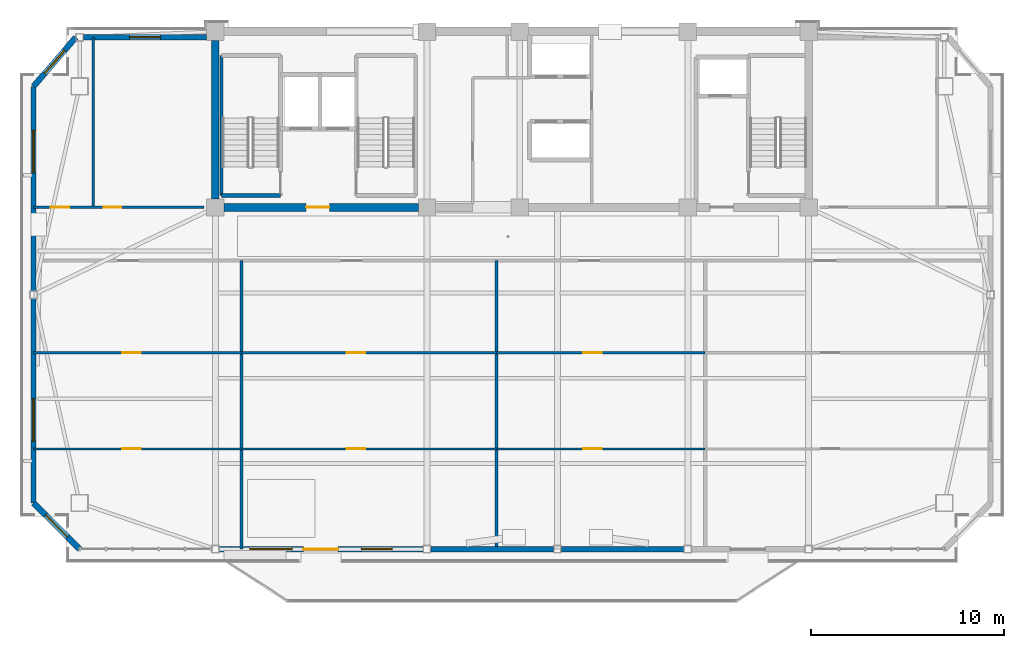
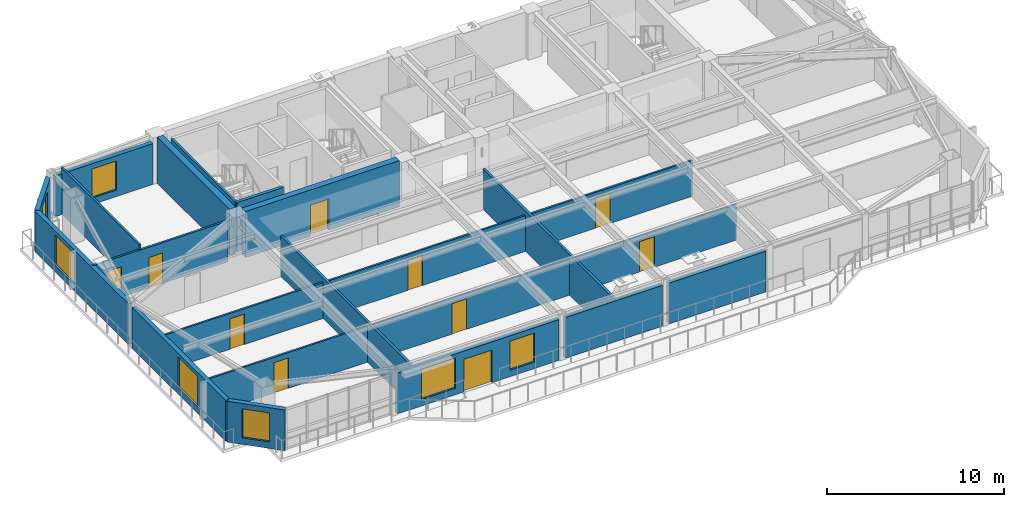
# One storey, part 6 of 13: 22 walls, 10 doors, 7 windows, 17 openings.
"""IFC4 building model written with IfcOpenShell, lengths in metres."""

from ifc_helpers import new_model, si_unit, direction, frame, frame_2d, origin, place, context, subcontext, project, spatial, rectangle, extrude, source, transform, mapped, material, layer, layer_set, type_object, element, fill, save


model = new_model("IFC4")

# Units and contexts
model_context = context("Model", 3, precision=1e-05, world=origin(), true_north=direction((0.0, 1.0)))
body_context = subcontext(model_context, "Body", "Model", "MODEL_VIEW")
ifc_project = project(units=[si_unit("LENGTHUNIT", "METRE"), si_unit("AREAUNIT", "SQUARE_METRE"), si_unit("VOLUMEUNIT", "CUBIC_METRE"), si_unit("PLANEANGLEUNIT", "RADIAN"), si_unit("MASSUNIT", "GRAM", prefix="KILO")], contexts=[model_context])

# Site, building, storey
site_placement = place(None, origin())
site = spatial("IfcSite", under=ifc_project, at=site_placement, CompositionType="ELEMENT")
building_placement = place(site_placement, origin())
building = spatial("IfcBuilding", under=site, at=building_placement, Name="Giltprow Tower", CompositionType="ELEMENT")
storey_placement = place(building_placement, frame((0.0, 0.0, 307.39990234375)))
storey = spatial("IfcBuildingStorey", under=building, at=storey_placement, Name="L79", CompositionType="ELEMENT", Elevation=307.39990234375)

# Wall, opening, window
ifc_material_1 = material(Name="Precast concrete C40", Category="concrete")
ifc_layer_1 = layer(ifc_material_1, 0.300048828125, Name="Precast concrete C40")
ifc_layer_set_1 = layer_set([ifc_layer_1], Name="Precast concrete C40")
wall_type_1 = type_object("IfcWallType", Name="EW-NOTCH-CHAMFER-300", PredefinedType="SOLIDWALL", material=ifc_layer_set_1)
wall_1_placement = place(storey_placement, frame((10.43994140625, 22.156982421875, 0.0), z_axis=(0.0, 0.0, 1.0), x_axis=(0.707106781187, -0.707106781187, 0.0)))
wall_1 = element("IfcWall", 1, at=wall_1_placement, inside=storey, type_object=wall_type_1, Name="L79 Corner Notch Wall SW", PredefinedType="SOLIDWALL", context=body_context, shape_type="SweptSolid", body=[
    extrude(rectangle(XDim=3.372802734375, YDim=0.300048828125, at=frame_2d((1.6865234375, 0.0))), origin(), (0.0, 0.0, 1.0), 2.815185546875),
])
opening_1_placement = place(wall_1_placement, frame((0.885986328125, 0.0, 0.449951171875)))
opening_1 = element("IfcOpeningElement", 2, at=opening_1_placement, cuts=wall_1, Name="Opening WN17", PredefinedType="OPENING", context=body_context, shape_type="SweptSolid", body=[
    extrude(rectangle(XDim=1.60009765625, YDim=2.0, at=frame_2d((0.800048828125, 1.0))), frame((0.0, 0.159912109375, 0.0), z_axis=(0.0, -1.0, 0.0), x_axis=(1.0, 0.0, 0.0)), (0.0, 0.0, 1.0), 0.320068359375),
])
ifc_material_2 = material(Name="Insulated glass", Category="glass")
window_type_1 = type_object("IfcWindowType", Name="WN-COR-1600x2000", PartitioningType="SINGLE_PANEL", PredefinedType="WINDOW", material=ifc_material_2)
shared_shape_1 = source(origin(), body_context, "Body", "SweptSolid", [
    extrude(rectangle(XDim=1.60009765625, YDim=2.0, at=frame_2d((0.800048828125, 1.0))), frame((0.0, 0.030029296875, 0.0), z_axis=(0.0, -1.0, 0.0), x_axis=(1.0, 0.0, 0.0)), (0.0, 0.0, 1.0), 0.06005859375),
])
window_1_placement = place(opening_1_placement, origin())
window_1 = element("IfcWindow", 3, at=window_1_placement, inside=storey, type_object=window_type_1, Name="L79 Corner Notch Window SW", OverallHeight=2.0, OverallWidth=1.60009765625, PartitioningType="SINGLE_PANEL", PredefinedType="WINDOW", context=body_context, shape_type="MappedRepresentation", body=[
    mapped(shared_shape_1, transform((0.0, 0.0, 0.0), x_axis=(1.0, 0.0, 0.0), y_axis=(0.0, 1.0, 0.0), z_axis=(0.0, 0.0, 1.0), scale=1.0)),
])
fill(opening_1, window_1)

wall_2_placement = place(storey_placement, frame((12.625, 46.25, 0.0), z_axis=(0.0, 0.0, 1.0), x_axis=(-0.652903544361, -0.757441061576, 0.0)))
wall_2 = element("IfcWall", 4, at=wall_2_placement, inside=storey, type_object=wall_type_1, Name="L79 Corner Notch Wall NW", PredefinedType="SOLIDWALL", context=body_context, shape_type="SweptSolid", body=[
    extrude(rectangle(XDim=3.3466796875, YDim=0.300048828125, at=frame_2d((1.67333984375, 0.0))), origin(), (0.0, 0.0, 1.0), 2.815185546875),
])
opening_2_placement = place(wall_2_placement, frame((0.873046875, 0.0, 0.449951171875)))
opening_2 = element("IfcOpeningElement", 5, at=opening_2_placement, cuts=wall_2, Name="Opening WN17", PredefinedType="OPENING", context=body_context, shape_type="SweptSolid", body=[
    extrude(rectangle(XDim=1.60009765625, YDim=2.0, at=frame_2d((0.800048828125, 1.0))), frame((0.0, 0.159912109375, 0.0), z_axis=(0.0, -1.0, 0.0), x_axis=(1.0, 0.0, 0.0)), (0.0, 0.0, 1.0), 0.320068359375),
])
window_2_placement = place(opening_2_placement, origin())
window_2 = element("IfcWindow", 6, at=window_2_placement, inside=storey, type_object=window_type_1, Name="L79 Corner Notch Window NW", OverallHeight=2.0, OverallWidth=1.60009765625, PartitioningType="SINGLE_PANEL", PredefinedType="WINDOW", context=body_context, shape_type="MappedRepresentation", body=[
    mapped(shared_shape_1, transform((0.0, 0.0, 0.0), x_axis=(1.0, 0.0, 0.0), y_axis=(0.0, 1.0, 0.0), z_axis=(0.0, 0.0, 1.0), scale=1.0)),
])
fill(opening_2, window_2)

# Wall, openings, windows, door
ifc_layer_2 = layer(ifc_material_1, 0.280029296875, Name="Precast concrete C40")
ifc_layer_set_2 = layer_set([ifc_layer_2], Name="Precast concrete C40")
wall_type_2 = type_object("IfcWallType", Name="EW-TOW-BRONZE-280", PredefinedType="SOLIDWALL", material=ifc_layer_set_2)
wall_3_placement = place(storey_placement, frame((20.050048828125, 19.77197265625, 0.0), z_axis=(0.0, 0.0, 1.0), x_axis=(1.0, 0.0, 0.0)))
wall_3 = element("IfcWall", 7, at=wall_3_placement, inside=storey, type_object=wall_type_2, Name="L79 South Expressed Frame Wall 2", PredefinedType="SOLIDWALL", context=body_context, shape_type="SweptSolid", body=[
    extrude(rectangle(XDim=10.550048828125, YDim=0.280029296875, at=frame_2d((5.27490234375, 0.0))), origin(), (0.0, 0.0, 1.0), 2.815185546875),
])
opening_3_placement = place(wall_3_placement, frame((4.35009765625, 0.0, 0.0)))
opening_3 = element("IfcOpeningElement", 8, at=opening_3_placement, cuts=wall_3, Name="Opening ED25", PredefinedType="OPENING", context=body_context, shape_type="SweptSolid", body=[
    extrude(rectangle(XDim=1.800048828125, YDim=2.25, at=frame_2d((0.89990234375, 1.125))), frame((0.0, 0.14990234375, 0.0), z_axis=(0.0, -1.0, 0.0), x_axis=(1.0, 0.0, 0.0)), (0.0, 0.0, 1.0), 0.300048828125),
])
opening_4_placement = place(wall_3_placement, frame((1.570068359375, 0.0, 0.449951171875)))
opening_4 = element("IfcOpeningElement", 9, at=opening_4_placement, cuts=wall_3, Name="Opening WN27", PredefinedType="OPENING", context=body_context, shape_type="SweptSolid", body=[
    extrude(rectangle(XDim=2.199951171875, YDim=2.10009765625, at=frame_2d((1.10009765625, 1.050048828125))), frame((0.0, 0.14990234375, 0.0), z_axis=(0.0, -1.0, 0.0), x_axis=(1.0, 0.0, 0.0)), (0.0, 0.0, 1.0), 0.300048828125),
])
opening_5_placement = place(wall_3_placement, frame((7.35009765625, 0.0, 0.449951171875)))
opening_5 = element("IfcOpeningElement", 10, at=opening_5_placement, cuts=wall_3, Name="Opening WN17", PredefinedType="OPENING", context=body_context, shape_type="SweptSolid", body=[
    extrude(rectangle(XDim=1.60009765625, YDim=2.0, at=frame_2d((0.800048828125, 1.0))), frame((0.0, 0.14990234375, 0.0), z_axis=(0.0, -1.0, 0.0), x_axis=(1.0, 0.0, 0.0)), (0.0, 0.0, 1.0), 0.300048828125),
])
window_3_placement = place(opening_5_placement, origin())
window_3 = element("IfcWindow", 11, at=window_3_placement, inside=storey, type_object=window_type_1, Name="L79 South Window 2B", OverallHeight=2.0, OverallWidth=1.60009765625, PartitioningType="SINGLE_PANEL", PredefinedType="WINDOW", context=body_context, shape_type="MappedRepresentation", body=[
    mapped(shared_shape_1, transform((0.0, 0.0, 0.0), x_axis=(1.0, 0.0, 0.0), y_axis=(0.0, 1.0, 0.0), z_axis=(0.0, 0.0, 1.0), scale=1.0)),
])
fill(opening_5, window_3)
ifc_material_3 = material(Name="Anodized bronze and glass", Category="glass")
door_type_1 = type_object("IfcDoorType", Name="DR-BALC-SLIDE-1800", OperationType="SLIDING_TO_LEFT", PredefinedType="DOOR", material=ifc_material_3)
shared_shape_2 = source(origin(), body_context, "Body", "SweptSolid", [
    extrude(rectangle(XDim=1.800048828125, YDim=2.25, at=frame_2d((0.89990234375, 1.125))), frame((0.0, 0.02490234375, 0.0), z_axis=(0.0, -1.0, 0.0), x_axis=(1.0, 0.0, 0.0)), (0.0, 0.0, 1.0), 0.050048828125),
])
door_1_placement = place(opening_3_placement, origin())
door_1 = element("IfcDoor", 12, at=door_1_placement, inside=storey, type_object=door_type_1, Name="L79 Waterfront Balcony Sliding Door 1", OperationType="SLIDING_TO_LEFT", OverallHeight=2.25, OverallWidth=1.800048828125, PredefinedType="DOOR", context=body_context, shape_type="MappedRepresentation", body=[
    mapped(shared_shape_2, transform((0.0, 0.0, 0.0), x_axis=(1.0, 0.0, 0.0), y_axis=(0.0, 1.0, 0.0), z_axis=(0.0, 0.0, 1.0), scale=1.0)),
])
fill(opening_3, door_1)
window_type_2 = type_object("IfcWindowType", Name="WN-RES-2200x2100", PartitioningType="TRIPLE_PANEL_VERTICAL", PredefinedType="WINDOW", material=ifc_material_2)
shared_shape_3 = source(origin(), body_context, "Body", "SweptSolid", [
    extrude(rectangle(XDim=2.199951171875, YDim=2.10009765625, at=frame_2d((1.10009765625, 1.050048828125))), frame((0.0, 0.030029296875, 0.0), z_axis=(0.0, -1.0, 0.0), x_axis=(1.0, 0.0, 0.0)), (0.0, 0.0, 1.0), 0.06005859375),
])
window_4_placement = place(opening_4_placement, origin())
window_4 = element("IfcWindow", 13, at=window_4_placement, inside=storey, type_object=window_type_2, Name="L79 South Window 2A", OverallHeight=2.10009765625, OverallWidth=2.199951171875, PartitioningType="SINGLE_PANEL", PredefinedType="WINDOW", context=body_context, shape_type="MappedRepresentation", body=[
    mapped(shared_shape_3, transform((0.0, 0.0, 0.0), x_axis=(1.0, 0.0, 0.0), y_axis=(0.0, 1.0, 0.0), z_axis=(0.0, 0.0, 1.0), scale=1.0)),
])
fill(opening_4, window_4)

# Walls
for number, where, z_axis, x_axis, name in (
    (14, (31.0, 19.77197265625, 0.0), (0.0, 0.0, 1.0), (1.0, 0.0, 0.0), "L79 South Expressed Frame Wall 3"),
    (15, (37.75, 19.77197265625, 0.0), (0.0, 0.0, 1.0), (1.0, 0.0, 0.0), "L79 South Expressed Frame Wall 4"),
):
    element("IfcWall", number, at=place(storey_placement, frame(where, z_axis=z_axis, x_axis=x_axis)), inside=storey, type_object=wall_type_2, Name=name, PredefinedType="SOLIDWALL", context=body_context, shape_type="SweptSolid", body=[
        extrude(rectangle(XDim=6.35009765625, YDim=0.280029296875, at=frame_2d((3.175048828125, 0.0))), origin(), (0.0, 0.0, 1.0), 2.815185546875),
    ])

# Wall, opening, window
wall_4_placement = place(storey_placement, frame((10.43994140625, 22.156982421875, 0.0), z_axis=(0.0, 0.0, 1.0), x_axis=(0.0, 1.0, 0.0)))
wall_4 = element("IfcWall", 16, at=wall_4_placement, inside=storey, type_object=wall_type_2, Name="L79 W Wing Masonry Wall 1", PredefinedType="SOLIDWALL", context=body_context, shape_type="SweptSolid", body=[
    extrude(rectangle(XDim=10.5791015625, YDim=0.280029296875, at=frame_2d((5.28955078125, 0.0))), origin(), (0.0, 0.0, 1.0), 2.815185546875),
])
opening_6_placement = place(wall_4_placement, frame((3.195068359375, 0.0, 0.449951171875)))
opening_6 = element("IfcOpeningElement", 17, at=opening_6_placement, cuts=wall_4, Name="Opening WN27", PredefinedType="OPENING", context=body_context, shape_type="SweptSolid", body=[
    extrude(rectangle(XDim=2.199951171875, YDim=2.10009765625, at=frame_2d((1.10009765625, 1.050048828125))), frame((0.0, 0.14990234375, 0.0), z_axis=(0.0, -1.0, 0.0), x_axis=(1.0, 0.0, 0.0)), (0.0, 0.0, 1.0), 0.300048828125),
])
window_5_placement = place(opening_6_placement, origin())
window_5 = element("IfcWindow", 18, at=window_5_placement, inside=storey, type_object=window_type_2, Name="L79 W Wing Window 1-1", OverallHeight=2.10009765625, OverallWidth=2.199951171875, PartitioningType="SINGLE_PANEL", PredefinedType="WINDOW", context=body_context, shape_type="MappedRepresentation", body=[
    mapped(shared_shape_3, transform((0.0, 0.0, 0.0), x_axis=(1.0, 0.0, 0.0), y_axis=(0.0, 1.0, 0.0), z_axis=(0.0, 0.0, 1.0), scale=1.0)),
])
fill(opening_6, window_5)

wall_5_placement = place(storey_placement, frame((10.43994140625, 33.135986328125, 0.0), z_axis=(0.0, 0.0, 1.0), x_axis=(0.0, 1.0, 0.0)))
wall_5 = element("IfcWall", 19, at=wall_5_placement, inside=storey, type_object=wall_type_2, Name="L79 W Wing Masonry Wall 2", PredefinedType="SOLIDWALL", context=body_context, shape_type="SweptSolid", body=[
    extrude(rectangle(XDim=10.5791015625, YDim=0.280029296875, at=frame_2d((5.28955078125, 0.0))), origin(), (0.0, 0.0, 1.0), 2.815185546875),
])
opening_7_placement = place(wall_5_placement, frame((6.10205078125, 0.0, 0.449951171875)))
opening_7 = element("IfcOpeningElement", 20, at=opening_7_placement, cuts=wall_5, Name="Opening WN27", PredefinedType="OPENING", context=body_context, shape_type="SweptSolid", body=[
    extrude(rectangle(XDim=2.199951171875, YDim=2.10009765625, at=frame_2d((1.10009765625, 1.050048828125))), frame((0.0, 0.14990234375, 0.0), z_axis=(0.0, -1.0, 0.0), x_axis=(1.0, 0.0, 0.0)), (0.0, 0.0, 1.0), 0.300048828125),
])
window_6_placement = place(opening_7_placement, origin())
window_6 = element("IfcWindow", 21, at=window_6_placement, inside=storey, type_object=window_type_2, Name="L79 W Wing Window 2-1", OverallHeight=2.10009765625, OverallWidth=2.199951171875, PartitioningType="SINGLE_PANEL", PredefinedType="WINDOW", context=body_context, shape_type="MappedRepresentation", body=[
    mapped(shared_shape_3, transform((0.0, 0.0, 0.0), x_axis=(1.0, 0.0, 0.0), y_axis=(0.0, 1.0, 0.0), z_axis=(0.0, 0.0, 1.0), scale=1.0)),
])
fill(opening_7, window_6)

wall_6_placement = place(storey_placement, frame((13.02490234375, 46.25, 0.0), z_axis=(0.0, 0.0, 1.0), x_axis=(1.0, 0.0, 0.0)))
wall_6 = element("IfcWall", 22, at=wall_6_placement, inside=storey, type_object=wall_type_2, Name="L79 North-West Wing Wall", PredefinedType="SOLIDWALL", context=body_context, shape_type="SweptSolid", body=[
    extrude(rectangle(XDim=6.375, YDim=0.280029296875, at=frame_2d((3.1875, 0.0))), origin(), (0.0, 0.0, 1.0), 2.815185546875),
])
opening_8_placement = place(wall_6_placement, frame((2.386962890625, 0.0, 0.449951171875)))
opening_8 = element("IfcOpeningElement", 23, at=opening_8_placement, cuts=wall_6, Name="Opening WN17", PredefinedType="OPENING", context=body_context, shape_type="SweptSolid", body=[
    extrude(rectangle(XDim=1.60009765625, YDim=2.0, at=frame_2d((0.800048828125, 1.0))), frame((0.0, 0.14990234375, 0.0), z_axis=(0.0, -1.0, 0.0), x_axis=(1.0, 0.0, 0.0)), (0.0, 0.0, 1.0), 0.300048828125),
])
window_7_placement = place(opening_8_placement, origin())
window_7 = element("IfcWindow", 24, at=window_7_placement, inside=storey, type_object=window_type_1, Name="L79 North-West Window", OverallHeight=2.0, OverallWidth=1.60009765625, PartitioningType="SINGLE_PANEL", PredefinedType="WINDOW", context=body_context, shape_type="MappedRepresentation", body=[
    mapped(shared_shape_1, transform((0.0, 0.0, 0.0), x_axis=(1.0, 0.0, 0.0), y_axis=(0.0, 1.0, 0.0), z_axis=(0.0, 0.0, 1.0), scale=1.0)),
])
fill(opening_8, window_7)

# Walls
ifc_material_4 = material(Name="Gypsum stud partition", Category="gypsum")
ifc_layer_3 = layer(ifc_material_4, 0.159912109375, Name="Gypsum stud partition")
ifc_layer_set_3 = layer_set([ifc_layer_3], Name="Gypsum stud partition")
wall_type_3 = type_object("IfcWallType", Name="IW-DEMISE-160", PredefinedType="PARTITIONING", material=ifc_layer_set_3)
for number, where, z_axis, x_axis, name in (
    (25, (21.199951171875, 19.77197265625, 0.0), (0.0, 0.0, 1.0), (0.0, 1.0, 0.0), "L79 Apartment Party Wall 1"),
    (26, (34.39990234375, 19.77197265625, 0.0), (0.0, 0.0, 1.0), (0.0, 1.0, 0.0), "L79 Apartment Party Wall 2"),
):
    element("IfcWall", number, at=place(storey_placement, frame(where, z_axis=z_axis, x_axis=x_axis)), inside=storey, type_object=wall_type_3, Name=name, PredefinedType="PARTITIONING", context=body_context, shape_type="SweptSolid", body=[
        extrude(rectangle(XDim=14.927978515625, YDim=0.159912109375, at=frame_2d((7.4638671875, 0.0))), origin(), (0.0, 0.0, 1.0), 2.77001953125),
    ])

# Wall, opening, door
ifc_layer_4 = layer(ifc_material_4, 0.1201171875, Name="Gypsum stud partition")
ifc_layer_set_4 = layer_set([ifc_layer_4], Name="Gypsum stud partition")
wall_type_4 = type_object("IfcWallType", Name="IW-ROOM-120", PredefinedType="PARTITIONING", material=ifc_layer_set_4)
wall_7_placement = place(storey_placement, frame((10.43994140625, 24.951904296875, 0.0), z_axis=(0.0, 0.0, 1.0), x_axis=(1.0, 0.0, 0.0)))
wall_7 = element("IfcWall", 27, at=wall_7_placement, inside=storey, type_object=wall_type_4, Name="L79 Special Split 1", PredefinedType="PARTITIONING", context=body_context, shape_type="SweptSolid", body=[
    extrude(rectangle(XDim=10.760009765625, YDim=0.1201171875, at=frame_2d((5.3798828125, 0.0))), origin(), (0.0, 0.0, 1.0), 2.47021484375),
])
opening_9_placement = place(wall_7_placement, frame((4.590087890625, 0.0, 0.0)))
opening_9 = element("IfcOpeningElement", 28, at=opening_9_placement, cuts=wall_7, Name="Opening ID11", PredefinedType="OPENING", context=body_context, shape_type="SweptSolid", body=[
    extrude(rectangle(XDim=0.949951171875, YDim=2.10009765625, at=frame_2d((0.47509765625, 1.050048828125))), frame((0.0, 0.070068359375, 0.0), z_axis=(0.0, -1.0, 0.0), x_axis=(1.0, 0.0, 0.0)), (0.0, 0.0, 1.0), 0.14013671875),
])
ifc_material_5 = material(Name="Engineered timber", Category="wood")
door_type_2 = type_object("IfcDoorType", Name="DR-ROOM-950", OperationType="SINGLE_SWING_RIGHT", PredefinedType="DOOR", material=ifc_material_5)
shared_shape_4 = source(origin(), body_context, "Body", "SweptSolid", [
    extrude(rectangle(XDim=0.949951171875, YDim=2.10009765625, at=frame_2d((0.47509765625, 1.050048828125))), frame((0.0, 0.02490234375, 0.0), z_axis=(0.0, -1.0, 0.0), x_axis=(1.0, 0.0, 0.0)), (0.0, 0.0, 1.0), 0.050048828125),
])
door_2_placement = place(opening_9_placement, origin())
door_2 = element("IfcDoor", 29, at=door_2_placement, inside=storey, type_object=door_type_2, Name="L79 Residents Study Office South Door", OperationType="SINGLE_SWING_RIGHT", OverallHeight=2.10009765625, OverallWidth=0.949951171875, PredefinedType="DOOR", context=body_context, shape_type="MappedRepresentation", body=[
    mapped(shared_shape_4, transform((0.0, 0.0, 0.0), x_axis=(1.0, 0.0, 0.0), y_axis=(0.0, 1.0, 0.0), z_axis=(0.0, 0.0, 1.0), scale=1.0)),
])
fill(opening_9, door_2)

wall_8_placement = place(storey_placement, frame((10.43994140625, 29.93310546875, 0.0), z_axis=(0.0, 0.0, 1.0), x_axis=(1.0, 0.0, 0.0)))
wall_8 = element("IfcWall", 30, at=wall_8_placement, inside=storey, type_object=wall_type_4, Name="L79 Special Split 2", PredefinedType="PARTITIONING", context=body_context, shape_type="SweptSolid", body=[
    extrude(rectangle(XDim=10.760009765625, YDim=0.1201171875, at=frame_2d((5.3798828125, 0.0))), origin(), (0.0, 0.0, 1.0), 2.47021484375),
])
opening_10_placement = place(wall_8_placement, frame((4.590087890625, 0.0, 0.0)))
opening_10 = element("IfcOpeningElement", 31, at=opening_10_placement, cuts=wall_8, Name="Opening ID11", PredefinedType="OPENING", context=body_context, shape_type="SweptSolid", body=[
    extrude(rectangle(XDim=0.949951171875, YDim=2.10009765625, at=frame_2d((0.47509765625, 1.050048828125))), frame((0.0, 0.070068359375, 0.0), z_axis=(0.0, -1.0, 0.0), x_axis=(1.0, 0.0, 0.0)), (0.0, 0.0, 1.0), 0.14013671875),
])
door_3_placement = place(opening_10_placement, origin())
door_3 = element("IfcDoor", 32, at=door_3_placement, inside=storey, type_object=door_type_2, Name="L79 Residents Study Office Mid Door", OperationType="SINGLE_SWING_LEFT", OverallHeight=2.10009765625, OverallWidth=0.949951171875, PredefinedType="DOOR", context=body_context, shape_type="MappedRepresentation", body=[
    mapped(shared_shape_4, transform((0.0, 0.0, 0.0), x_axis=(1.0, 0.0, 0.0), y_axis=(0.0, 1.0, 0.0), z_axis=(0.0, 0.0, 1.0), scale=1.0)),
])
fill(opening_10, door_3)

wall_9_placement = place(storey_placement, frame((21.199951171875, 24.951904296875, 0.0), z_axis=(0.0, 0.0, 1.0), x_axis=(1.0, 0.0, 0.0)))
wall_9 = element("IfcWall", 33, at=wall_9_placement, inside=storey, type_object=wall_type_4, Name="L79 Special Split 1", PredefinedType="PARTITIONING", context=body_context, shape_type="SweptSolid", body=[
    extrude(rectangle(XDim=13.199951171875, YDim=0.1201171875, at=frame_2d((6.60009765625, 0.0))), origin(), (0.0, 0.0, 1.0), 2.47021484375),
])
opening_11_placement = place(wall_9_placement, frame((5.446044921875, 0.0, 0.0)))
opening_11 = element("IfcOpeningElement", 34, at=opening_11_placement, cuts=wall_9, Name="Opening ID11", PredefinedType="OPENING", context=body_context, shape_type="SweptSolid", body=[
    extrude(rectangle(XDim=0.949951171875, YDim=2.10009765625, at=frame_2d((0.47509765625, 1.050048828125))), frame((0.0, 0.070068359375, 0.0), z_axis=(0.0, -1.0, 0.0), x_axis=(1.0, 0.0, 0.0)), (0.0, 0.0, 1.0), 0.14013671875),
])
door_4_placement = place(opening_11_placement, origin())
door_4 = element("IfcDoor", 35, at=door_4_placement, inside=storey, type_object=door_type_2, Name="L79 Residents Sky Club Lounge South Door", OperationType="SINGLE_SWING_LEFT", OverallHeight=2.10009765625, OverallWidth=0.949951171875, PredefinedType="DOOR", context=body_context, shape_type="MappedRepresentation", body=[
    mapped(shared_shape_4, transform((0.0, 0.0, 0.0), x_axis=(1.0, 0.0, 0.0), y_axis=(0.0, 1.0, 0.0), z_axis=(0.0, 0.0, 1.0), scale=1.0)),
])
fill(opening_11, door_4)

wall_10_placement = place(storey_placement, frame((21.199951171875, 29.93310546875, 0.0), z_axis=(0.0, 0.0, 1.0), x_axis=(1.0, 0.0, 0.0)))
wall_10 = element("IfcWall", 36, at=wall_10_placement, inside=storey, type_object=wall_type_4, Name="L79 Special Split 2", PredefinedType="PARTITIONING", context=body_context, shape_type="SweptSolid", body=[
    extrude(rectangle(XDim=13.199951171875, YDim=0.1201171875, at=frame_2d((6.60009765625, 0.0))), origin(), (0.0, 0.0, 1.0), 2.47021484375),
])
opening_12_placement = place(wall_10_placement, frame((5.446044921875, 0.0, 0.0)))
opening_12 = element("IfcOpeningElement", 37, at=opening_12_placement, cuts=wall_10, Name="Opening ID11", PredefinedType="OPENING", context=body_context, shape_type="SweptSolid", body=[
    extrude(rectangle(XDim=0.949951171875, YDim=2.10009765625, at=frame_2d((0.47509765625, 1.050048828125))), frame((0.0, 0.070068359375, 0.0), z_axis=(0.0, -1.0, 0.0), x_axis=(1.0, 0.0, 0.0)), (0.0, 0.0, 1.0), 0.14013671875),
])
door_5_placement = place(opening_12_placement, origin())
door_5 = element("IfcDoor", 38, at=door_5_placement, inside=storey, type_object=door_type_2, Name="L79 Residents Sky Club Lounge Mid Door", OperationType="SINGLE_SWING_RIGHT", OverallHeight=2.10009765625, OverallWidth=0.949951171875, PredefinedType="DOOR", context=body_context, shape_type="MappedRepresentation", body=[
    mapped(shared_shape_4, transform((0.0, 0.0, 0.0), x_axis=(1.0, 0.0, 0.0), y_axis=(0.0, 1.0, 0.0), z_axis=(0.0, 0.0, 1.0), scale=1.0)),
])
fill(opening_12, door_5)

wall_11_placement = place(storey_placement, frame((34.39990234375, 24.951904296875, 0.0), z_axis=(0.0, 0.0, 1.0), x_axis=(1.0, 0.0, 0.0)))
wall_11 = element("IfcWall", 39, at=wall_11_placement, inside=storey, type_object=wall_type_4, Name="L79 Special Split 1", PredefinedType="PARTITIONING", context=body_context, shape_type="SweptSolid", body=[
    extrude(rectangle(XDim=10.800048828125, YDim=0.1201171875, at=frame_2d((5.39990234375, 0.0))), origin(), (0.0, 0.0, 1.0), 2.47021484375),
])
opening_13_placement = place(wall_11_placement, frame((4.486083984375, 0.0, 0.0)))
opening_13 = element("IfcOpeningElement", 40, at=opening_13_placement, cuts=wall_11, Name="Opening ID11", PredefinedType="OPENING", context=body_context, shape_type="SweptSolid", body=[
    extrude(rectangle(XDim=0.949951171875, YDim=2.10009765625, at=frame_2d((0.47509765625, 1.050048828125))), frame((0.0, 0.070068359375, 0.0), z_axis=(0.0, -1.0, 0.0), x_axis=(1.0, 0.0, 0.0)), (0.0, 0.0, 1.0), 0.14013671875),
])
door_6_placement = place(opening_13_placement, origin())
door_6 = element("IfcDoor", 41, at=door_6_placement, inside=storey, type_object=door_type_2, Name="L79 Residents Sky Club Lounge South Door", OperationType="SINGLE_SWING_RIGHT", OverallHeight=2.10009765625, OverallWidth=0.949951171875, PredefinedType="DOOR", context=body_context, shape_type="MappedRepresentation", body=[
    mapped(shared_shape_4, transform((0.0, 0.0, 0.0), x_axis=(1.0, 0.0, 0.0), y_axis=(0.0, 1.0, 0.0), z_axis=(0.0, 0.0, 1.0), scale=1.0)),
])
fill(opening_13, door_6)

wall_12_placement = place(storey_placement, frame((34.39990234375, 29.93310546875, 0.0), z_axis=(0.0, 0.0, 1.0), x_axis=(1.0, 0.0, 0.0)))
wall_12 = element("IfcWall", 42, at=wall_12_placement, inside=storey, type_object=wall_type_4, Name="L79 Special Split 2", PredefinedType="PARTITIONING", context=body_context, shape_type="SweptSolid", body=[
    extrude(rectangle(XDim=10.800048828125, YDim=0.1201171875, at=frame_2d((5.39990234375, 0.0))), origin(), (0.0, 0.0, 1.0), 2.47021484375),
])
opening_14_placement = place(wall_12_placement, frame((4.486083984375, 0.0, 0.0)))
opening_14 = element("IfcOpeningElement", 43, at=opening_14_placement, cuts=wall_12, Name="Opening ID11", PredefinedType="OPENING", context=body_context, shape_type="SweptSolid", body=[
    extrude(rectangle(XDim=0.949951171875, YDim=2.10009765625, at=frame_2d((0.47509765625, 1.050048828125))), frame((0.0, 0.070068359375, 0.0), z_axis=(0.0, -1.0, 0.0), x_axis=(1.0, 0.0, 0.0)), (0.0, 0.0, 1.0), 0.14013671875),
])
door_7_placement = place(opening_14_placement, origin())
door_7 = element("IfcDoor", 44, at=door_7_placement, inside=storey, type_object=door_type_2, Name="L79 Residents Sky Club Lounge Mid Door", OperationType="SINGLE_SWING_LEFT", OverallHeight=2.10009765625, OverallWidth=0.949951171875, PredefinedType="DOOR", context=body_context, shape_type="MappedRepresentation", body=[
    mapped(shared_shape_4, transform((0.0, 0.0, 0.0), x_axis=(1.0, 0.0, 0.0), y_axis=(0.0, 1.0, 0.0), z_axis=(0.0, 0.0, 1.0), scale=1.0)),
])
fill(opening_14, door_7)

# Walls
ifc_material_6 = material(Name="Concrete C45", Category="concrete")
ifc_layer_5 = layer(ifc_material_6, 0.139892578125, Name="Concrete C45")
ifc_layer_set_5 = layer_set([ifc_layer_5], Name="Concrete C45")
wall_type_5 = type_object("IfcWallType", Name="IW-STAIR-140", PredefinedType="SOLIDWALL", material=ifc_layer_set_5)
wall_13_placement = place(storey_placement, frame((20.169921875, 38.070068359375, 0.0), z_axis=(0.0, 0.0, 1.0), x_axis=(0.0, 1.0, 0.0)))
element("IfcWall", 45, at=wall_13_placement, inside=storey, type_object=wall_type_5, Name="L79 Stair ST-1 West Bearing Wall", PredefinedType="SOLIDWALL", context=body_context, shape_type="SweptSolid", body=[
    extrude(rectangle(XDim=7.25, YDim=0.139892578125, at=frame_2d((3.625, 0.0))), origin(), (0.0, 0.0, 1.0), 3.400146484375),
])
ifc_material_7 = material(Name="Concrete C40", Category="concrete")
ifc_layer_6 = layer(ifc_material_7, 0.199951171875, Name="Concrete C40")
ifc_layer_set_6 = layer_set([ifc_layer_6], Name="Concrete C40")
wall_type_6 = type_object("IfcWallType", Name="IW-STAIR-200", PredefinedType="SOLIDWALL", material=ifc_layer_set_6)
wall_14_placement = place(storey_placement, frame((20.169921875, 38.070068359375, 0.0), z_axis=(0.0, 0.0, 1.0), x_axis=(1.0, 0.0, 0.0)))
element("IfcWall", 46, at=wall_14_placement, inside=storey, type_object=wall_type_6, Name="L79 Stair ST-1 South Bearing Wall", PredefinedType="SOLIDWALL", context=body_context, shape_type="SweptSolid", body=[
    extrude(rectangle(XDim=3.050048828125, YDim=0.199951171875, at=frame_2d((1.52490234375, 0.0))), origin(), (0.0, 0.0, 1.0), 3.400146484375),
])

# Wall, openings, doors
ifc_material_8 = material(Name="Concrete C30", Category="concrete")
ifc_layer_7 = layer(ifc_material_8, 0.1298828125, Name="Concrete C30")
ifc_layer_set_7 = layer_set([ifc_layer_7], Name="Concrete C30")
wall_type_7 = type_object("IfcWallType", Name="IW-WET-130", PredefinedType="PARTITIONING", material=ifc_layer_set_7)
wall_15_placement = place(storey_placement, frame((10.43994140625, 37.449951171875, 0.0), z_axis=(0.0, 0.0, 1.0), x_axis=(1.0, 0.0, 0.0)))
wall_15 = element("IfcWall", 47, at=wall_15_placement, inside=storey, type_object=wall_type_7, Name="L79 NW Wing South Wall", PredefinedType="PARTITIONING", context=body_context, shape_type="SweptSolid", body=[
    extrude(rectangle(XDim=8.81005859375, YDim=0.1298828125, at=frame_2d((4.405029296875, 0.0))), origin(), (0.0, 0.0, 1.0), 2.820068359375),
])
opening_15_placement = place(wall_15_placement, frame((0.89990234375, 0.0, 0.0)))
opening_15 = element("IfcOpeningElement", 48, at=opening_15_placement, cuts=wall_15, Name="Opening ID11", PredefinedType="OPENING", context=body_context, shape_type="SweptSolid", body=[
    extrude(rectangle(XDim=0.949951171875, YDim=2.10009765625, at=frame_2d((0.47509765625, 1.050048828125))), frame((0.0, 0.074951171875, 0.0), z_axis=(0.0, -1.0, 0.0), x_axis=(1.0, 0.0, 0.0)), (0.0, 0.0, 1.0), 0.14990234375),
])
opening_16_placement = place(wall_15_placement, frame((3.64306640625, 0.0, 0.0)))
opening_16 = element("IfcOpeningElement", 49, at=opening_16_placement, cuts=wall_15, Name="Opening ID15", PredefinedType="OPENING", context=body_context, shape_type="SweptSolid", body=[
    extrude(rectangle(XDim=0.89990234375, YDim=2.10009765625, at=frame_2d((0.449951171875, 1.050048828125))), frame((0.0, 0.074951171875, 0.0), z_axis=(0.0, -1.0, 0.0), x_axis=(1.0, 0.0, 0.0)), (0.0, 0.0, 1.0), 0.14990234375),
])
door_type_3 = type_object("IfcDoorType", Name="DR-WC-900", OperationType="SINGLE_SWING_LEFT", PredefinedType="DOOR", material=ifc_material_5)
shared_shape_5 = source(origin(), body_context, "Body", "SweptSolid", [
    extrude(rectangle(XDim=0.89990234375, YDim=2.10009765625, at=frame_2d((0.449951171875, 1.050048828125))), frame((0.0, 0.02490234375, 0.0), z_axis=(0.0, -1.0, 0.0), x_axis=(1.0, 0.0, 0.0)), (0.0, 0.0, 1.0), 0.050048828125),
])
door_8_placement = place(opening_16_placement, origin())
door_8 = element("IfcDoor", 50, at=door_8_placement, inside=storey, type_object=door_type_3, Name="L79 NW Washroom Door", OperationType="SINGLE_SWING_LEFT", OverallHeight=2.10009765625, OverallWidth=0.89990234375, PredefinedType="DOOR", context=body_context, shape_type="MappedRepresentation", body=[
    mapped(shared_shape_5, transform((0.0, 0.0, 0.0), x_axis=(1.0, 0.0, 0.0), y_axis=(0.0, 1.0, 0.0), z_axis=(0.0, 0.0, 1.0), scale=1.0)),
])
fill(opening_16, door_8)
door_9_placement = place(opening_15_placement, origin())
door_9 = element("IfcDoor", 51, at=door_9_placement, inside=storey, type_object=door_type_2, Name="L79 Residents Study Office West Door", OperationType="SINGLE_SWING_RIGHT", OverallHeight=2.10009765625, OverallWidth=0.949951171875, PredefinedType="DOOR", context=body_context, shape_type="MappedRepresentation", body=[
    mapped(shared_shape_4, transform((0.0, 0.0, 0.0), x_axis=(1.0, 0.0, 0.0), y_axis=(0.0, 1.0, 0.0), z_axis=(0.0, 0.0, 1.0), scale=1.0)),
])
fill(opening_15, door_9)

# Wall
wall_16_placement = place(storey_placement, frame((13.532958984375, 37.449951171875, 0.0), z_axis=(0.0, 0.0, 1.0), x_axis=(0.0, 1.0, 0.0)))
element("IfcWall", 52, at=wall_16_placement, inside=storey, type_object=wall_type_7, Name="L79 NW Wing Divider", PredefinedType="PARTITIONING", context=body_context, shape_type="SweptSolid", body=[
    extrude(rectangle(XDim=8.800048828125, YDim=0.1298828125, at=frame_2d((4.39990234375, 0.0))), origin(), (0.0, 0.0, 1.0), 3.18505859375),
])

# Wall, opening, door
ifc_layer_8 = layer(ifc_material_6, 0.39990234375, Name="Concrete C45")
ifc_layer_set_8 = layer_set([ifc_layer_8], Name="Concrete C45")
wall_type_8 = type_object("IfcWallType", Name="SW-INT-400-C45", PredefinedType="SHEAR", material=ifc_layer_set_8)
wall_17_placement = place(storey_placement, frame((20.300048828125, 37.449951171875, 0.0), z_axis=(0.0, 0.0, 1.0), x_axis=(1.0, 0.0, 0.0)))
wall_17 = element("IfcWall", 53, at=wall_17_placement, inside=storey, type_object=wall_type_8, Name="L79 South Rear Core Shear Wall West", PredefinedType="SHEAR", context=body_context, shape_type="SweptSolid", body=[
    extrude(rectangle(XDim=10.050048828125, YDim=0.39990234375, at=frame_2d((5.02490234375, 0.0))), origin(), (0.0, 0.0, 1.0), 3.18505859375),
])
opening_17_placement = place(wall_17_placement, frame((4.25, 0.0, 0.0)))
opening_17 = element("IfcOpeningElement", 54, at=opening_17_placement, cuts=wall_17, Name="Opening ID19", PredefinedType="OPENING", context=body_context, shape_type="SweptSolid", body=[
    extrude(rectangle(XDim=1.199951171875, YDim=2.14990234375, at=frame_2d((0.60009765625, 1.074951171875))), frame((0.0, 0.2099609375, 0.0), z_axis=(0.0, -1.0, 0.0), x_axis=(1.0, 0.0, 0.0)), (0.0, 0.0, 1.0), 0.419921875),
])
ifc_material_9 = material(Name="Steel fire leaf", Category="steel")
door_type_4 = type_object("IfcDoorType", Name="DR-FFLOBBY-1200", OperationType="SINGLE_SWING_RIGHT", PredefinedType="DOOR", material=ifc_material_9)
shared_shape_6 = source(origin(), body_context, "Body", "SweptSolid", [
    extrude(rectangle(XDim=1.199951171875, YDim=2.14990234375, at=frame_2d((0.60009765625, 1.074951171875))), frame((0.0, 0.02490234375, 0.0), z_axis=(0.0, -1.0, 0.0), x_axis=(1.0, 0.0, 0.0)), (0.0, 0.0, 1.0), 0.050048828125),
])
door_10_placement = place(opening_17_placement, origin())
door_10 = element("IfcDoor", 55, at=door_10_placement, inside=storey, type_object=door_type_4, Name="L79 West Firefighting Lobby Entry Door", OperationType="SINGLE_SWING_RIGHT", OverallHeight=2.14990234375, OverallWidth=1.199951171875, PredefinedType="DOOR", context=body_context, shape_type="MappedRepresentation", body=[
    mapped(shared_shape_6, transform((0.0, 0.0, 0.0), x_axis=(1.0, 0.0, 0.0), y_axis=(0.0, 1.0, 0.0), z_axis=(0.0, 0.0, 1.0), scale=1.0)),
])
fill(opening_17, door_10)

# Wall
wall_18_placement = place(storey_placement, frame((19.85009765625, 37.89990234375, 0.0), z_axis=(0.0, 0.0, 1.0), x_axis=(0.0, 1.0, 0.0)))
element("IfcWall", 56, at=wall_18_placement, inside=storey, type_object=wall_type_8, Name="L79 W Rear Core Shear Wall", PredefinedType="SHEAR", context=body_context, shape_type="SweptSolid", body=[
    extrude(rectangle(XDim=8.2001953125, YDim=0.39990234375, at=frame_2d((4.10009765625, 0.0))), origin(), (0.0, 0.0, 1.0), 3.18505859375),
])

save(model, "model.ifc")
